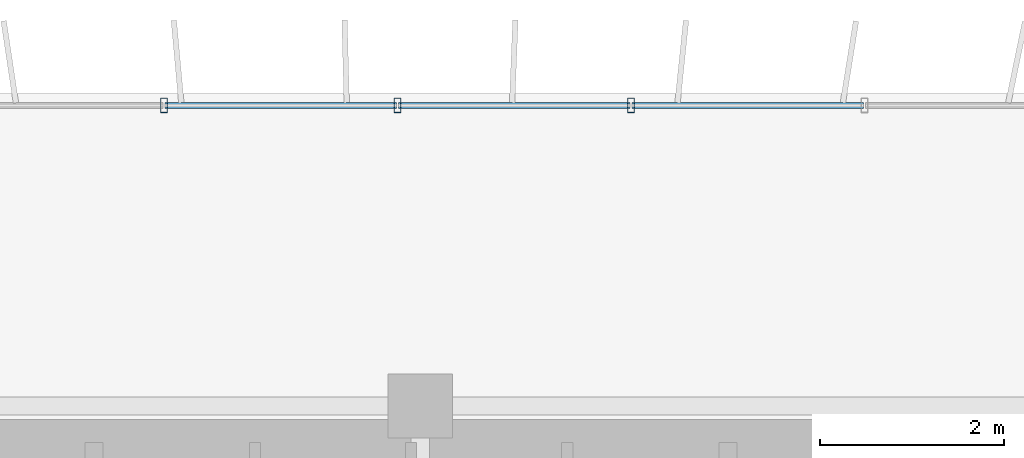
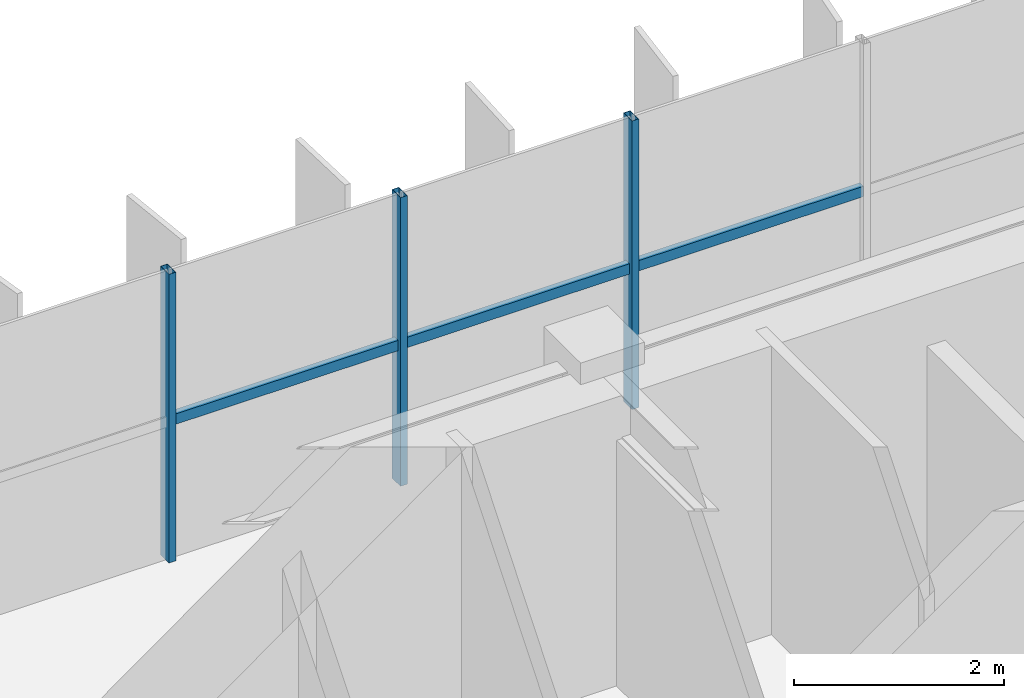
# One storey, part 9 of 20: 6 members, 1 element without a shape of its own.
"""IFC4 building model written with IfcOpenShell, lengths in metres."""

from ifc_helpers import new_model, si_unit, direction, frame, origin, origin_2d, place, context, subcontext, project, spatial, hollow_rectangle, extrude, source, transform, mapped, material, material_profile, profile_set, type_object, element, aggregate, save


model = new_model("IFC4")

# Units and contexts
model_context = context("Model", 3, precision=1e-05, world=origin(), true_north=direction((0.0, 1.0)))
body_context = subcontext(model_context, "Body", "Model", "MODEL_VIEW")
ifc_project = project(units=[si_unit("LENGTHUNIT", "METRE"), si_unit("AREAUNIT", "SQUARE_METRE"), si_unit("VOLUMEUNIT", "CUBIC_METRE"), si_unit("PLANEANGLEUNIT", "RADIAN"), si_unit("MASSUNIT", "GRAM", prefix="KILO")], contexts=[model_context])

# Site, building, storey
site_placement = place(None, origin())
site = spatial("IfcSite", under=ifc_project, at=site_placement, CompositionType="ELEMENT")
building_placement = place(site_placement, origin())
building = spatial("IfcBuilding", under=site, at=building_placement, Name="Trelvane Seafront Commons", CompositionType="ELEMENT")
storey_placement = place(building_placement, frame((0.0, 0.0, 164.5)))
storey = spatial("IfcBuildingStorey", under=building, at=storey_placement, Name="L43", CompositionType="ELEMENT", Elevation=164.5)

# Curtain wall, members
ifc_material = material(Name="Anodised pale-silver aluminium", Category="aluminium")
curtain_wall_type = type_object("IfcCurtainWallType", Name="ARCH-CW5-UPTOWER", PredefinedType="NOTDEFINED", material=ifc_material)
curtain_wall_placement = place(storey_placement, origin())
curtain_wall = element("IfcCurtainWall", 1, at=curtain_wall_placement, inside=storey, type_object=curtain_wall_type, Name="CW-L43-0070", PredefinedType="NOTDEFINED")
ifc_material_profile_1 = material_profile(ifc_material, hollow_rectangle(XDim=0.070068359375, YDim=0.1201171875, WallThickness=0.00390625, at=origin_2d()), Name="TRAN-70x120x4")
ifc_profile_set_1 = profile_set([ifc_material_profile_1], Name="Anodised pale-silver aluminium")
member_type_1 = type_object("IfcMemberType", Name="ARCH-CW-TRAN-120", PredefinedType="USERDEFINED", material=ifc_profile_set_1)
shared_shape_1 = source(origin(), body_context, "Body", "SweptSolid", [
    extrude(hollow_rectangle(XDim=0.070068359375, YDim=0.1201171875, WallThickness=0.00390625, at=origin_2d()), origin(), (0.0, 0.0, 1.0), 2.51708984375),
])
member_1_placement = place(storey_placement, frame((43.56494140625, 48.3701171875, 1.60791015625), z_axis=(1.0, 0.0, 0.0), x_axis=(0.0, 1.0, 0.0)))
member_1 = element("IfcMember", 2, at=member_1_placement, type_object=member_type_1, Name="CW-L43-0070-T11", ObjectType="TRANSOM", PredefinedType="USERDEFINED", context=body_context, shape_type="MappedRepresentation", body=[
    mapped(shared_shape_1, transform((0.0, 0.0, 0.0), x_axis=(1.0, 0.0, 0.0), y_axis=(0.0, 1.0, 0.0), z_axis=(0.0, 0.0, 1.0), scale=1.0)),
])
member_2_placement = place(storey_placement, frame((46.106201171875, 48.3701171875, 1.60791015625), z_axis=(1.0, 0.0, 0.0), x_axis=(0.0, 1.0, 0.0)))
member_2 = element("IfcMember", 3, at=member_2_placement, type_object=member_type_1, Name="CW-L43-0070-T12", ObjectType="TRANSOM", PredefinedType="USERDEFINED", context=body_context, shape_type="MappedRepresentation", body=[
    mapped(shared_shape_1, transform((0.0, 0.0, 0.0), x_axis=(1.0, 0.0, 0.0), y_axis=(0.0, 1.0, 0.0), z_axis=(0.0, 0.0, 1.0), scale=1.0)),
])
shared_shape_2 = source(origin(), body_context, "Body", "SweptSolid", [
    extrude(hollow_rectangle(XDim=0.070068359375, YDim=0.1201171875, WallThickness=0.00390625, at=origin_2d()), origin(), (0.0, 0.0, 1.0), 2.517333984375),
])
member_3_placement = place(storey_placement, frame((41.023681640625, 48.3701171875, 1.60791015625), z_axis=(1.0, 0.0, 0.0), x_axis=(0.0, 1.0, 0.0)))
member_3 = element("IfcMember", 4, at=member_3_placement, type_object=member_type_1, Name="CW-L43-0070-T10", ObjectType="TRANSOM", PredefinedType="USERDEFINED", context=body_context, shape_type="MappedRepresentation", body=[
    mapped(shared_shape_2, transform((0.0, 0.0, 0.0), x_axis=(1.0, 0.0, 0.0), y_axis=(0.0, 1.0, 0.0), z_axis=(0.0, 0.0, 1.0), scale=1.0)),
])
ifc_material_profile_2 = material_profile(ifc_material, hollow_rectangle(XDim=0.074951171875, YDim=0.159912109375, WallThickness=0.00390625, at=origin_2d()), Name="MULL-75x160x4")
ifc_profile_set_2 = profile_set([ifc_material_profile_2], Name="Anodised pale-silver aluminium")
member_type_2 = type_object("IfcMemberType", Name="ARCH-CW-MULL-160", PredefinedType="MULLION", material=ifc_profile_set_2)
shared_shape_3 = source(origin(), body_context, "Body", "SweptSolid", [
    extrude(hollow_rectangle(XDim=0.074951171875, YDim=0.159912109375, WallThickness=0.00390625, at=origin_2d()), origin(), (0.0, 0.0, 1.0), 3.35009765625),
])
member_4_placement = place(storey_placement, frame((41.01171875, 48.3701171875, 0.0), z_axis=(0.0, 0.0, 1.0), x_axis=(1.0, 0.0, 0.0)))
member_4 = element("IfcMember", 5, at=member_4_placement, type_object=member_type_2, Name="CW-L43-0070-M10", PredefinedType="MULLION", context=body_context, shape_type="MappedRepresentation", body=[
    mapped(shared_shape_3, transform((0.0, 0.0, 0.0), x_axis=(1.0, 0.0, 0.0), y_axis=(0.0, 1.0, 0.0), z_axis=(0.0, 0.0, 1.0), scale=1.0)),
])
member_5_placement = place(storey_placement, frame((43.552978515625, 48.3701171875, 0.0), z_axis=(0.0, 0.0, 1.0), x_axis=(1.0, 0.0, 0.0)))
member_5 = element("IfcMember", 6, at=member_5_placement, type_object=member_type_2, Name="CW-L43-0070-M11", PredefinedType="MULLION", context=body_context, shape_type="MappedRepresentation", body=[
    mapped(shared_shape_3, transform((0.0, 0.0, 0.0), x_axis=(1.0, 0.0, 0.0), y_axis=(0.0, 1.0, 0.0), z_axis=(0.0, 0.0, 1.0), scale=1.0)),
])
member_6_placement = place(storey_placement, frame((46.093994140625, 48.3701171875, 0.0), z_axis=(0.0, 0.0, 1.0), x_axis=(1.0, 0.0, 0.0)))
member_6 = element("IfcMember", 7, at=member_6_placement, type_object=member_type_2, Name="CW-L43-0070-M12", PredefinedType="MULLION", context=body_context, shape_type="MappedRepresentation", body=[
    mapped(shared_shape_3, transform((0.0, 0.0, 0.0), x_axis=(1.0, 0.0, 0.0), y_axis=(0.0, 1.0, 0.0), z_axis=(0.0, 0.0, 1.0), scale=1.0)),
])
aggregate(curtain_wall, [member_4, member_5, member_6, member_3, member_1, member_2])

save(model, "model.ifc")
